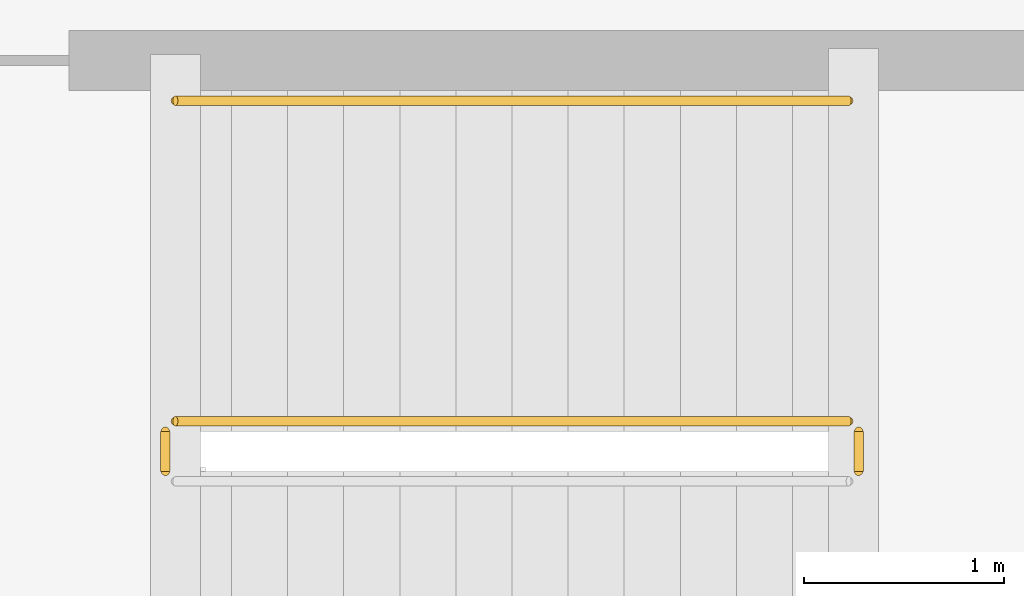
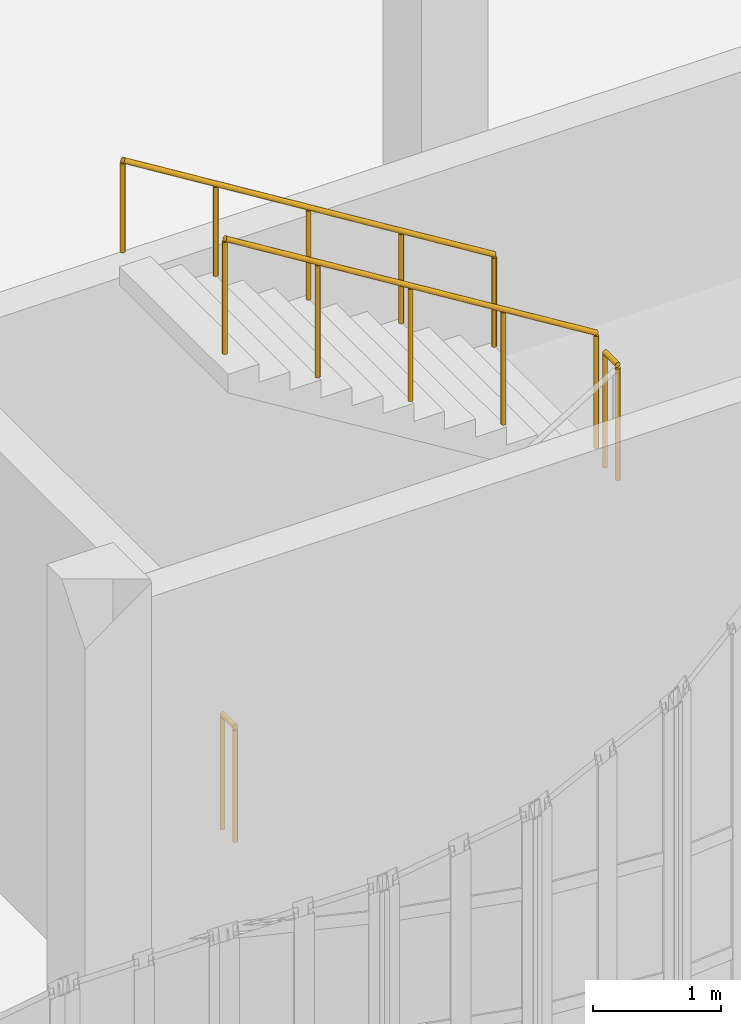
# One storey, part 96 of 105: 4 railings.
"""IFC4 building model written with IfcOpenShell, lengths in metres."""

from ifc_helpers import new_model, si_unit, direction, frame, origin, origin_2d, place, context, subcontext, project, spatial, circle, extrude, material, type_object, element, save


model = new_model("IFC4")

# Units and contexts
model_context = context("Model", 3, precision=1e-05, world=origin(), true_north=direction((0.0, 1.0)))
body_context = subcontext(model_context, "Body", "Model", "MODEL_VIEW")
ifc_project = project(units=[si_unit("LENGTHUNIT", "METRE"), si_unit("AREAUNIT", "SQUARE_METRE"), si_unit("VOLUMEUNIT", "CUBIC_METRE"), si_unit("PLANEANGLEUNIT", "RADIAN"), si_unit("MASSUNIT", "GRAM", prefix="KILO"), si_unit("THERMODYNAMICTEMPERATUREUNIT", "KELVIN"), si_unit("POWERUNIT", "WATT")], contexts=[model_context])

# Site, building, storey
site_placement = place(None, origin())
site = spatial("IfcSite", under=ifc_project, at=site_placement, CompositionType="ELEMENT")
building_placement = place(site_placement, origin())
building = spatial("IfcBuilding", under=site, at=building_placement, Name="Kaldorven Railside Theatre", CompositionType="ELEMENT")
storey_placement = place(building_placement, frame((0.0, 0.0, 9.89990234375)))
storey = spatial("IfcBuildingStorey", under=building, at=storey_placement, Name="L02", CompositionType="ELEMENT", Elevation=9.89990234375)

# Railings
ifc_material = material(Name="Steel S355", Category="steel")
railing_type_1 = type_object("IfcRailingType", Name="RLG-STG-1100", PredefinedType="BALUSTRADE", material=ifc_material)
railing_1_placement = place(storey_placement, frame((64.159912109375, 21.050048828125, 2.25)))
element("IfcRailing", 1, at=railing_1_placement, inside=storey, type_object=railing_type_1, Name="L02 ST-03 stair guard 2", PredefinedType="BALUSTRADE", context=body_context, shape_type="SweptSolid", body=[
    extrude(circle(Radius=0.02392578125, at=origin_2d()), frame((0.0, 0.0, 1.09619140625), z_axis=(0.0, 1.0, 0.0), x_axis=(-1.0, 0.0, 0.0)), (0.0, 0.0, 1.0), 0.199951171875),
    extrude(circle(Radius=0.02099609375, at=origin_2d()), origin(), (0.0, 0.0, 1.0), 1.072021484375),
    extrude(circle(Radius=0.02099609375, at=origin_2d()), frame((0.0, 0.199951171875, 0.0)), (0.0, 0.0, 1.0), 1.072021484375),
])
railing_2_placement = place(storey_placement, frame((64.110107421875, 21.300048828125, 2.423095703125)))
element("IfcRailing", 2, at=railing_2_placement, inside=storey, type_object=railing_type_1, Name="L02 ST-03 stair guard 3", PredefinedType="BALUSTRADE", context=body_context, shape_type="SweptSolid", body=[
    extrude(circle(Radius=0.02392578125, at=origin_2d()), frame((0.0, 0.0, 1.09619140625), z_axis=(-0.850623216509, 0.0, 0.525775754039), x_axis=(0.0, -1.0, 0.0)), (0.0, 0.0, 1.0), 3.9501953125),
    extrude(circle(Radius=0.02099609375, at=origin_2d()), origin(), (0.0, 0.0, 1.0), 1.072021484375),
    extrude(circle(Radius=0.02099609375, at=origin_2d()), frame((-0.840087890625, 0.0, 0.519287109375)), (0.0, 0.0, 1.0), 1.072021484375),
    extrude(circle(Radius=0.02099609375, at=origin_2d()), frame((-1.68017578125, 0.0, 1.03857421875)), (0.0, 0.0, 1.0), 1.072021484375),
    extrude(circle(Radius=0.02099609375, at=origin_2d()), frame((-2.52001953125, 0.0, 1.5576171875)), (0.0, 0.0, 1.0), 1.072021484375),
    extrude(circle(Radius=0.02099609375, at=origin_2d()), frame((-3.360107421875, 0.0, 2.076904296875)), (0.0, 0.0, 1.0), 1.072021484375),
])
railing_3_placement = place(storey_placement, frame((60.699951171875, 21.050048828125, 0.0)))
element("IfcRailing", 3, at=railing_3_placement, inside=storey, type_object=railing_type_1, Name="L02 ST-03 stair guard 4", PredefinedType="BALUSTRADE", context=body_context, shape_type="SweptSolid", body=[
    extrude(circle(Radius=0.02392578125, at=origin_2d()), frame((0.0, 0.0, 1.09619140625), z_axis=(0.0, 1.0, 0.0), x_axis=(-1.0, 0.0, 0.0)), (0.0, 0.0, 1.0), 0.199951171875),
    extrude(circle(Radius=0.02099609375, at=origin_2d()), origin(), (0.0, 0.0, 1.0), 1.072021484375),
    extrude(circle(Radius=0.02099609375, at=origin_2d()), frame((0.0, 0.199951171875, 0.0)), (0.0, 0.0, 1.0), 1.072021484375),
])
railing_type_2 = type_object("IfcRailingType", Name="RLG-STH-900", PredefinedType="HANDRAIL", material=ifc_material)
railing_4_placement = place(storey_placement, frame((64.110107421875, 22.89990234375, 2.423095703125)))
element("IfcRailing", 4, at=railing_4_placement, inside=storey, type_object=railing_type_2, Name="L02 ST-03 stair handrail 2", PredefinedType="HANDRAIL", context=body_context, shape_type="SweptSolid", body=[
    extrude(circle(Radius=0.02392578125, at=origin_2d()), frame((0.0, 0.0, 0.8759765625), z_axis=(-0.850623216509, 0.0, 0.525775754039), x_axis=(0.0, -1.0, 0.0)), (0.0, 0.0, 1.0), 3.9501953125),
    extrude(circle(Radius=0.02099609375, at=origin_2d()), origin(), (0.0, 0.0, 1.0), 0.851806640625),
    extrude(circle(Radius=0.02099609375, at=origin_2d()), frame((-0.840087890625, 0.0, 0.519287109375)), (0.0, 0.0, 1.0), 0.851806640625),
    extrude(circle(Radius=0.02099609375, at=origin_2d()), frame((-1.68017578125, 0.0, 1.03857421875)), (0.0, 0.0, 1.0), 0.851806640625),
    extrude(circle(Radius=0.02099609375, at=origin_2d()), frame((-2.52001953125, 0.0, 1.5576171875)), (0.0, 0.0, 1.0), 0.851806640625),
    extrude(circle(Radius=0.02099609375, at=origin_2d()), frame((-3.360107421875, 0.0, 2.076904296875)), (0.0, 0.0, 1.0), 0.851806640625),
])

save(model, "model.ifc")
